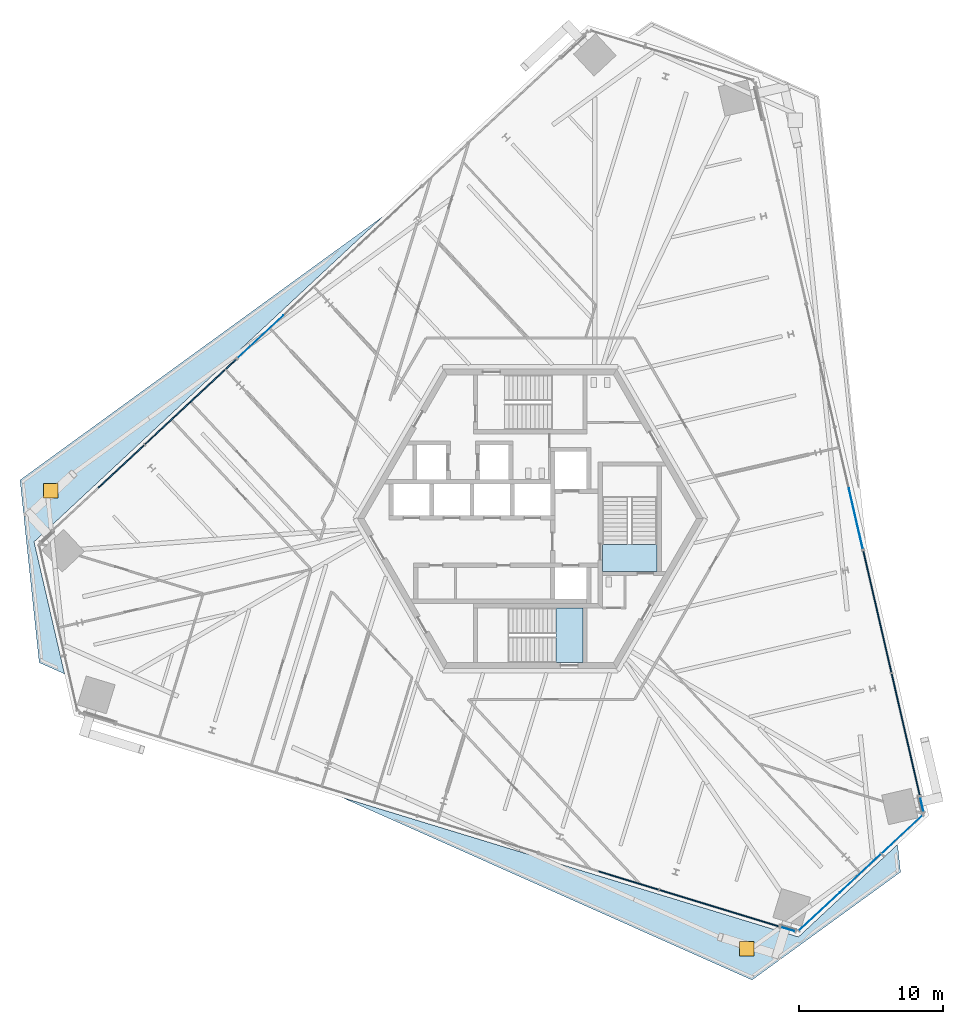
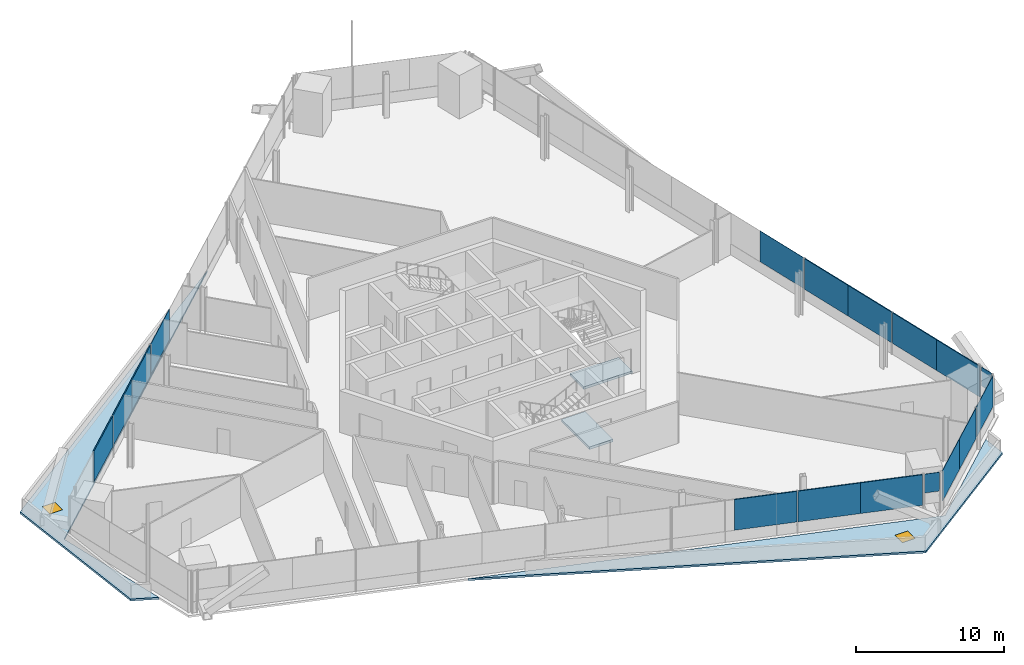
# One storey, part 15 of 25: 17 plates, 4 slabs, 2 doors, 2 openings, 10 elements without a shape of their own.
"""IFC4 building model written with IfcOpenShell, lengths in metres."""

import ifcopenshell
import ifcopenshell.guid

model = None  # the IFC model being written
_history = None  # IfcOwnerHistory: only IFC2X3 demands one
_inside = {}  # id of a spatial element -> (the spatial element, [elements in it])
_under = {}  # id of a project, library or spatial element -> (it, [spatial elements below it])
_declared = {}  # id of a project -> (the project, [libraries it declares])
_typed = {}  # id of a type object -> (the type object, [elements of that type])
_made_of = {}  # id of a material, layer set ... -> (it, [elements and type objects made of it])


def new_model(schema):
    """Start an empty IFC model of exactly this schema.

    Asked for "IFC4X3", IfcOpenShell would pick the latest addendum, in which some entities
    have other attributes; the version numbers below select the first issue.
    IFC2X3 requires an IfcOwnerHistory on every rooted entity: one is made here for all.
    """
    global model, _history
    if schema == "IFC4X3":
        model = ifcopenshell.file(schema_version=(4, 3, 0, 0))
    else:
        model = ifcopenshell.file(schema=schema)
    _inside.clear()
    _under.clear()
    _declared.clear()
    _typed.clear()
    _made_of.clear()
    _history = None
    if model.schema == "IFC2X3":
        org = make("IfcOrganization", Name="unknown")
        user = make(
            "IfcPersonAndOrganization",
            ThePerson=make("IfcPerson", FamilyName="unknown"),
            TheOrganization=org,
        )
        app = make(
            "IfcApplication",
            ApplicationDeveloper=org,
            Version="unknown",
            ApplicationFullName="unknown",
            ApplicationIdentifier="unknown",
        )
        _history = make(
            "IfcOwnerHistory",
            OwningUser=user,
            OwningApplication=app,
            ChangeAction="ADDED",
            CreationDate=0,
        )
    return model


def make(cls, **values):
    """One entity of the class cls with the attributes given. An attribute that is None is left unset."""
    return model.create_entity(
        cls, **{name: value for name, value in values.items() if value is not None}
    )


def rooted(cls, **values):
    """An entity with a GlobalId (a new one), such as an element, a storey or a relation."""
    return make(cls, GlobalId=ifcopenshell.guid.new(), OwnerHistory=_history, **values)


def si_unit(unit_type, name, prefix=None):
    """IfcSIUnit, for example si_unit("LENGTHUNIT", "METRE", prefix="MILLI")."""
    return make("IfcSIUnit", UnitType=unit_type, Prefix=prefix, Name=name)


def assignment(units):
    """IfcUnitAssignment: the units of a project."""
    return None if units is None else make("IfcUnitAssignment", Units=units)


def point(xyz):
    """IfcCartesianPoint."""
    return None if xyz is None else make("IfcCartesianPoint", Coordinates=xyz)


def direction(xyz):
    """IfcDirection."""
    return None if xyz is None else make("IfcDirection", DirectionRatios=xyz)


def frame(location, z_axis=None, x_axis=None):
    """IfcAxis2Placement3D, a coordinate frame: its origin and axes. An axis left out is left unset."""
    return make(
        "IfcAxis2Placement3D",
        Location=point(location),
        Axis=direction(z_axis),
        RefDirection=direction(x_axis),
    )


def frame_2d(location, x_axis=None):
    """IfcAxis2Placement2D, a coordinate frame in the plane: its origin and x axis."""
    return make(
        "IfcAxis2Placement2D", Location=point(location), RefDirection=direction(x_axis)
    )


def origin():
    """The frame at (0, 0, 0) with its axes left unset."""
    return frame((0.0, 0.0, 0.0))


def origin_2d():
    """The frame at (0, 0) in the plane with its x axis left unset."""
    return frame_2d((0.0, 0.0))


def place(relative_to, where):
    """IfcLocalPlacement: puts the frame where relative to a parent placement (None: the world)."""
    return make(
        "IfcLocalPlacement", PlacementRelTo=relative_to, RelativePlacement=where
    )


def context(
    kind, dimensions, precision=None, world=None, true_north=None, identifier=None
):
    """IfcGeometricRepresentationContext, for example the 3D "Model" context."""
    return make(
        "IfcGeometricRepresentationContext",
        ContextIdentifier=identifier,
        ContextType=kind,
        CoordinateSpaceDimension=dimensions,
        Precision=precision,
        WorldCoordinateSystem=world,
        TrueNorth=true_north,
    )


def subcontext(parent, identifier, kind, view, scale=None):
    """IfcGeometricRepresentationSubContext, for example "Body" below "Model"."""
    return make(
        "IfcGeometricRepresentationSubContext",
        ContextIdentifier=identifier,
        ContextType=kind,
        ParentContext=parent,
        TargetScale=scale,
        TargetView=view,
    )


def project(units=None, contexts=None):
    """IfcProject with its units and contexts."""
    return rooted(
        "IfcProject",
        Name="project",
        RepresentationContexts=contexts,
        UnitsInContext=assignment(units),
    )


def spatial(cls, under=None, at=None, **own):
    """A site, building, storey or space (cls), placed at a placement, below another one or the project."""
    s = rooted(cls, ObjectPlacement=at, **own)
    if under is not None:
        _under.setdefault(under.id(), (under, []))[1].append(s)
    return s


def polyline(points):
    """IfcPolyline through the points."""
    return make("IfcPolyline", Points=[point(p) for p in points])


def profile(cls, at=None, kind="AREA", **sizes):
    """A parametric profile (cls). Its sizes go by their IFC names, for example OverallWidth=200.0."""
    return make(cls, ProfileType=kind, Position=at, **sizes)


def rectangle(**sizes):
    """IfcRectangleProfileDef."""
    return profile("IfcRectangleProfileDef", **sizes)


def outline(outer, holes=None, kind="AREA"):
    """IfcArbitraryClosedProfileDef: a profile drawn as a closed curve; with holes, ...WithVoids."""
    if holes is None:
        return make("IfcArbitraryClosedProfileDef", ProfileType=kind, OuterCurve=outer)
    return make(
        "IfcArbitraryProfileDefWithVoids",
        ProfileType=kind,
        OuterCurve=outer,
        InnerCurves=holes,
    )


def extrude(swept, where, along, depth):
    """IfcExtrudedAreaSolid: the profile swept, set in the frame where, extruded along a direction by depth."""
    return make(
        "IfcExtrudedAreaSolid",
        SweptArea=swept,
        Position=where,
        ExtrudedDirection=direction(along),
        Depth=depth,
    )


def shape(context_of_items, identifier, shape_type, items):
    """IfcShapeRepresentation: the items that make up one representation, for example the "Body"."""
    return make(
        "IfcShapeRepresentation",
        ContextOfItems=context_of_items,
        RepresentationIdentifier=identifier,
        RepresentationType=shape_type,
        Items=items,
    )


def source(mapping_origin, context_of_items, identifier, shape_type, items):
    """IfcRepresentationMap: a shape defined once, which mapped items show again and again."""
    return make(
        "IfcRepresentationMap",
        MappingOrigin=mapping_origin,
        MappedRepresentation=shape(context_of_items, identifier, shape_type, items),
    )


def transform(
    local_origin,
    x_axis=None,
    y_axis=None,
    z_axis=None,
    scale=None,
    scale2=None,
    scale3=None,
    uniform=True,
):
    """IfcCartesianTransformationOperator3D, or its non-uniform kind. x_axis, y_axis, z_axis: its Axis1, 2, 3."""
    if uniform:
        return make(
            "IfcCartesianTransformationOperator3D",
            Axis1=direction(x_axis),
            Axis2=direction(y_axis),
            LocalOrigin=point(local_origin),
            Scale=scale,
            Axis3=direction(z_axis),
        )
    return make(
        "IfcCartesianTransformationOperator3DnonUniform",
        Axis1=direction(x_axis),
        Axis2=direction(y_axis),
        LocalOrigin=point(local_origin),
        Scale=scale,
        Axis3=direction(z_axis),
        Scale2=scale2,
        Scale3=scale3,
    )


def mapped(mapping_source, mapping_target):
    """IfcMappedItem: shows the shape of a source again, moved by a transform."""
    return make(
        "IfcMappedItem", MappingSource=mapping_source, MappingTarget=mapping_target
    )


def material(Name=None, Category=None):
    """IfcMaterial."""
    return make("IfcMaterial", Name=Name, Category=Category)


def layer(
    of_material, thickness, ventilated=None, Name=None, Category=None, Priority=None
):
    """IfcMaterialLayer: one layer of a wall or slab, of a material (None: an air gap)."""
    return make(
        "IfcMaterialLayer",
        Material=of_material,
        LayerThickness=thickness,
        IsVentilated=ventilated,
        Name=Name,
        Category=Category,
        Priority=Priority,
    )


def layer_set(layers, Name=None):
    """IfcMaterialLayerSet."""
    return make("IfcMaterialLayerSet", MaterialLayers=layers, LayerSetName=Name)


def made_of(thing, what):
    """Note that an element or type object is made of a material, layer set ...; save() writes the relation."""
    if what is not None:
        _made_of.setdefault(what.id(), (what, []))[1].append(thing)
    return thing


def type_object(cls, material=None, **own):
    """A type object (cls), such as IfcWallType, which elements share."""
    return made_of(rooted(cls, **own), material)


def element(
    cls,
    number,
    at=None,
    inside=None,
    cuts=None,
    type_object=None,
    material=None,
    context=None,
    identifier="Body",
    shape_type=None,
    held_by="IfcProductDefinitionShape",
    body=None,
    shapes=None,
    **own,
):
    """One element of the class cls, such as IfcWall. Its Tag is "e" and its number.

    at: its placement. inside: the storey or other place that contains it. cuts: it is an
    opening in that element (IfcRelVoidsElement). A single representation is given by context,
    identifier, shape_type and body (its items); several are given by shapes. held_by: the class
    of the entity that holds the representations. save() writes the other relations.
    """
    e = rooted(cls, Tag="e%d" % number, ObjectPlacement=at, **own)
    if body is not None:
        shapes = [shape(context, identifier, shape_type, body)]
    if shapes is not None:
        e.Representation = make(held_by, Representations=shapes)
    if inside is not None:
        _inside.setdefault(inside.id(), (inside, []))[1].append(e)
    if cuts is not None:
        rooted(
            "IfcRelVoidsElement", RelatingBuildingElement=cuts, RelatedOpeningElement=e
        )
    if type_object is not None:
        _typed.setdefault(type_object.id(), (type_object, []))[1].append(e)
    return made_of(e, material)


def fill(opening, filler):
    """IfcRelFillsElement: the door or window that sits in an opening."""
    return rooted(
        "IfcRelFillsElement",
        RelatingOpeningElement=opening,
        RelatedBuildingElement=filler,
    )


def aggregate(whole, parts):
    """IfcRelAggregates: a whole, such as a stair, and the parts it consists of."""
    return rooted("IfcRelAggregates", RelatingObject=whole, RelatedObjects=parts)


def save(model, path):
    """Write the relations noted so far, then the file.

    IfcRelAggregates (storeys below a building ...), IfcRelContainedInSpatialStructure (elements
    in a storey), IfcRelDefinesByType, IfcRelAssociatesMaterial and IfcRelDeclares: one each for
    every whole, place, type object, material and project.
    """
    for whole, parts in _under.values():
        aggregate(whole, parts)
    for where, things in _inside.values():
        rooted(
            "IfcRelContainedInSpatialStructure",
            RelatedElements=things,
            RelatingStructure=where,
        )
    for kind, things in _typed.values():
        rooted("IfcRelDefinesByType", RelatedObjects=things, RelatingType=kind)
    for what, things in _made_of.values():
        rooted("IfcRelAssociatesMaterial", RelatedObjects=things, RelatingMaterial=what)
    for by, libraries in _declared.values():
        rooted("IfcRelDeclares", RelatingContext=by, RelatedDefinitions=libraries)
    model.write(path)


model = new_model("IFC4")

# Units and contexts
model_context = context("Model", 3, precision=1e-05, world=origin(), true_north=direction((0.0, 1.0)))
body_context = subcontext(model_context, "Body", "Model", "MODEL_VIEW")
ifc_project = project(units=[si_unit("LENGTHUNIT", "METRE"), si_unit("AREAUNIT", "SQUARE_METRE"), si_unit("VOLUMEUNIT", "CUBIC_METRE"), si_unit("PLANEANGLEUNIT", "RADIAN"), si_unit("MASSUNIT", "GRAM", prefix="KILO")], contexts=[model_context])

# Site, building, storey
site_placement = place(None, origin())
site = spatial("IfcSite", under=ifc_project, at=site_placement, CompositionType="ELEMENT")
building_placement = place(site_placement, origin())
building = spatial("IfcBuilding", under=site, at=building_placement, Name="Triune Harvest Tower", CompositionType="ELEMENT")
storey_placement = place(building_placement, frame((0.0, 0.0, 98.300048828125)))
storey = spatial("IfcBuildingStorey", under=building, at=storey_placement, Name="L24", CompositionType="ELEMENT", Elevation=98.300048828125)

# Slab, opening, door
ifc_material_1 = material(Name="Concrete 40 MPa", Category="concrete")
ifc_layer_1 = layer(ifc_material_1, 0.159912109375)
ifc_layer_set_1 = layer_set([ifc_layer_1], Name="Concrete 40 MPa")
slab_type_1 = type_object("IfcSlabType", Name="WR-1 Wedge roof slab 160", PredefinedType="ROOF", material=ifc_layer_set_1)
slab_1_placement = place(storey_placement, frame((0.0, 0.0, -0.16015625)))
slab_1 = element("IfcSlab", 1, at=slab_1_placement, inside=storey, type_object=slab_type_1, Name="Wedge roof slab L23 1", PredefinedType="ROOF", context=body_context, shape_type="SweptSolid", body=[
    extrude(outline(polyline([(25.703125, -24.534423828125), (25.501708984375, -22.6171875), (18.61767578125, -29.03662109375), (-13.1162109375, -19.334716796875), (15.390869140625, -32.026611328125), (25.703125, -24.534423828125)])), origin(), (0.0, 0.0, 1.0), 0.16015625),
])
opening_1_placement = place(slab_1_placement, frame((15.01416015625, -29.851318359375, 0.0)))
opening_1 = element("IfcOpeningElement", 2, at=opening_1_placement, cuts=slab_1, Name="Opening RH-L23.1", PredefinedType="OPENING", context=body_context, shape_type="SweptSolid", body=[
    extrude(rectangle(XDim=1.0, YDim=1.0, at=origin_2d()), origin(), (0.0, 0.0, 1.0), 0.16015625),
])
ifc_material_2 = material(Name="Aluminium bronze anodised", Category="aluminium")
door_type = type_object("IfcDoorType", Name="RH-1 roof hatch 1000 x 1000", OperationType="SINGLE_SWING_LEFT", PredefinedType="TRAPDOOR", material=ifc_material_2)
door_1_placement = place(opening_1_placement, frame((0.0, 0.0, 0.110107421875)))
door_1 = element("IfcDoor", 3, at=door_1_placement, inside=storey, type_object=door_type, Name="Roof hatch L23.1", OperationType="SINGLE_SWING_LEFT", OverallHeight=1.0, OverallWidth=1.0, PredefinedType="TRAPDOOR", context=body_context, shape_type="SweptSolid", body=[
    extrude(rectangle(XDim=1.0, YDim=1.0, at=origin_2d()), origin(), (0.0, 0.0, 1.0), 0.050048828125),
])
fill(opening_1, door_1)

slab_2_placement = place(storey_placement, frame((0.0, 0.0, -0.16015625)))
slab_2 = element("IfcSlab", 4, at=slab_2_placement, inside=storey, type_object=slab_type_1, Name="Wedge roof slab L23 3", PredefinedType="ROOF", context=body_context, shape_type="SweptSolid", body=[
    extrude(outline(polyline([(-34.098876953125, -9.992431640625), (-32.337646484375, -10.776611328125), (-34.455078125, -1.60498046875), (-10.186279296875, 21.026123046875), (-35.431396484375, 2.6845703125), (-34.098876953125, -9.992431640625)])), origin(), (0.0, 0.0, 1.0), 0.16015625),
])
opening_2_placement = place(slab_2_placement, frame((-33.30712890625, 1.955810546875, 0.0)))
opening_2 = element("IfcOpeningElement", 5, at=opening_2_placement, cuts=slab_2, Name="Opening RH-L23.3", PredefinedType="OPENING", context=body_context, shape_type="SweptSolid", body=[
    extrude(rectangle(XDim=1.0, YDim=1.0, at=origin_2d()), origin(), (0.0, 0.0, 1.0), 0.16015625),
])
door_2_placement = place(opening_2_placement, frame((0.0, 0.0, 0.110107421875)))
door_2 = element("IfcDoor", 6, at=door_2_placement, inside=storey, type_object=door_type, Name="Roof hatch L23.3", OperationType="SINGLE_SWING_LEFT", OverallHeight=1.0, OverallWidth=1.0, PredefinedType="TRAPDOOR", context=body_context, shape_type="SweptSolid", body=[
    extrude(rectangle(XDim=1.0, YDim=1.0, at=origin_2d()), origin(), (0.0, 0.0, 1.0), 0.050048828125),
])
fill(opening_2, door_2)

# Stair, slab
ifc_material_3 = material(Name="Concrete 40 MPa", Category="concrete")
stair_type = type_object("IfcStairType", Name="Exit stair 1800 half turn", PredefinedType="HALF_TURN_STAIR", material=ifc_material_3)
stair_1_placement = place(storey_placement, origin())
stair_1 = element("IfcStair", 7, at=stair_1_placement, inside=storey, type_object=stair_type, Name="Exit stair south", PredefinedType="HALF_TURN_STAIR")
ifc_material_4 = material(Name="Concrete 40 MPa", Category="concrete")
ifc_layer_2 = layer(ifc_material_4, 0.199951171875)
ifc_layer_set_2 = layer_set([ifc_layer_2], Name="Concrete 40 MPa")
slab_type_2 = type_object("IfcSlabType", Name="Stair landing 200", PredefinedType="LANDING", material=ifc_layer_set_2)
shared_shape_1 = source(origin(), body_context, "Body", "SweptSolid", [
    extrude(outline(polyline([(3.64990234375, -6.18994140625), (1.780029296875, -6.18994140625), (1.780029296875, -9.989990234375), (3.64990234375, -9.989990234375), (3.64990234375, -6.18994140625)])), origin(), (0.0, 0.0, 1.0), 0.199951171875),
])
slab_3_placement = place(storey_placement, frame((0.0, 0.0, -0.199951171875)))
slab_3 = element("IfcSlab", 8, at=slab_3_placement, type_object=slab_type_2, Name="ST-2 landing 1", PredefinedType="LANDING", context=body_context, shape_type="MappedRepresentation", body=[
    mapped(shared_shape_1, transform((0.0, 0.0, 0.0), scale=1.0)),
])
aggregate(stair_1, [slab_3])

stair_2_placement = place(storey_placement, origin())
stair_2 = element("IfcStair", 9, at=stair_2_placement, inside=storey, type_object=stair_type, Name="Exit stair east", PredefinedType="HALF_TURN_STAIR")
shared_shape_2 = source(origin(), body_context, "Body", "SweptSolid", [
    extrude(outline(polyline([(8.800048828125, -3.64990234375), (8.800048828125, -1.780029296875), (5.0, -1.780029296875), (5.0, -3.64990234375), (8.800048828125, -3.64990234375)])), origin(), (0.0, 0.0, 1.0), 0.199951171875),
])
slab_4_placement = place(storey_placement, frame((0.0, 0.0, -0.199951171875)))
slab_4 = element("IfcSlab", 10, at=slab_4_placement, type_object=slab_type_2, Name="ST-3 landing 1", PredefinedType="LANDING", context=body_context, shape_type="MappedRepresentation", body=[
    mapped(shared_shape_2, transform((0.0, 0.0, 0.0), scale=1.0)),
])
aggregate(stair_2, [slab_4])

# Curtain wall, plate
ifc_material_5 = material(Name="Aluminium bronze anodised", Category="aluminium")
curtain_wall_type_1 = type_object("IfcCurtainWallType", Name="CW-1 Tower stick curtain wall", PredefinedType="NOTDEFINED", material=ifc_material_5)
curtain_wall_1_placement = place(storey_placement, origin())
curtain_wall_1 = element("IfcCurtainWall", 11, at=curtain_wall_1_placement, inside=storey, type_object=curtain_wall_type_1, Name="CW-1 B3-F1 L24 run 1")
ifc_material_6 = material(Name="Glass", Category="glass")
ifc_layer_3 = layer(ifc_material_6, 0.031982421875)
ifc_layer_set_3 = layer_set([ifc_layer_3], Name="Glass")
plate_type_1 = type_object("IfcPlateType", Name="GL-1 panel 32", PredefinedType="CURTAIN_PANEL", material=ifc_layer_set_3)
shared_shape_3 = source(origin(), body_context, "Body", "SweptSolid", [
    extrude(rectangle(XDim=1.021728515625, YDim=0.031982421875, at=origin_2d()), origin(), (0.0, 0.0, 1.0), 1.554931640625),
])
plate_1_placement = place(storey_placement, frame((27.18359375, -19.837646484375, 1.884765625), z_axis=(0.0, 0.0, 1.0), x_axis=(-0.224946759876, 0.974371056231, 0.0)))
plate_1 = element("IfcPlate", 12, at=plate_1_placement, type_object=plate_type_1, Name="CW-1 panel B3-F1 1.1", PredefinedType="CURTAIN_PANEL", context=body_context, shape_type="MappedRepresentation", body=[
    mapped(shared_shape_3, transform((0.0, 0.0, 0.0), scale=1.0)),
])
aggregate(curtain_wall_1, [plate_1])

curtain_wall_2_placement = place(storey_placement, origin())
curtain_wall_2 = element("IfcCurtainWall", 13, at=curtain_wall_2_placement, inside=storey, type_object=curtain_wall_type_1, Name="CW-1 B3-F5 L24 run 301")
plate_2_placement = place(storey_placement, frame((17.893310546875, -28.501220703125, 1.884765625), z_axis=(0.0, 0.0, 1.0), x_axis=(0.956305185841, -0.292370298651, 0.0)))
plate_2 = element("IfcPlate", 14, at=plate_2_placement, type_object=plate_type_1, Name="CW-1 panel B3-F5 301.1", PredefinedType="CURTAIN_PANEL", context=body_context, shape_type="MappedRepresentation", body=[
    mapped(shared_shape_3, transform((0.0, 0.0, 0.0), scale=1.0)),
])
aggregate(curtain_wall_2, [plate_2])

# Curtain wall, plates
ifc_material_7 = material(Name="Aluminium bronze anodised", Category="aluminium")
curtain_wall_type_2 = type_object("IfcCurtainWallType", Name="CW-7 Tower stick curtain wall with insulated spandrel infill", PredefinedType="NOTDEFINED", material=ifc_material_7)
curtain_wall_3_placement = place(storey_placement, origin())
curtain_wall_3 = element("IfcCurtainWall", 15, at=curtain_wall_3_placement, inside=storey, type_object=curtain_wall_type_2, Name="CW-7 B3-F1 L24 run 101")
ifc_material_8 = material(Name="Insulated spandrel panel, bronze aluminium pan", Category="aluminium")
ifc_layer_4 = layer(ifc_material_8, 0.080078125)
ifc_layer_set_4 = layer_set([ifc_layer_4], Name="Insulated spandrel panel, bronze aluminium pan")
plate_type_2 = type_object("IfcPlateType", Name="SP-1 insulated spandrel panel 80", PredefinedType="CURTAIN_PANEL", material=ifc_layer_set_4)
shared_shape_4 = source(origin(), body_context, "Body", "SweptSolid", [
    extrude(rectangle(XDim=4.311767578125, YDim=0.080078125, at=origin_2d()), origin(), (0.0, 0.0, 1.0), 2.5400390625),
])
plate_3_placement = place(storey_placement, frame((26.5498046875, -17.093017578125, 0.89990234375), z_axis=(0.0, 0.0, 1.0), x_axis=(-0.224949824829, 0.97437034864, 0.0)))
plate_3 = element("IfcPlate", 16, at=plate_3_placement, type_object=plate_type_2, Name="CW-7 panel B3-F1 101.1", PredefinedType="CURTAIN_PANEL", context=body_context, shape_type="MappedRepresentation", body=[
    mapped(shared_shape_4, transform((0.0, 0.0, 0.0), scale=1.0)),
])
plate_4_placement = place(storey_placement, frame((23.6064453125, -4.34326171875, 0.89990234375), z_axis=(0.0, 0.0, 1.0), x_axis=(-0.224949824829, 0.97437034864, 0.0)))
plate_4 = element("IfcPlate", 17, at=plate_4_placement, type_object=plate_type_2, Name="CW-7 panel B3-F1 101.4", PredefinedType="CURTAIN_PANEL", context=body_context, shape_type="MappedRepresentation", body=[
    mapped(shared_shape_4, transform((0.0, 0.0, 0.0), scale=1.0)),
])

# Curtain wall, plate
curtain_wall_4_placement = place(storey_placement, origin())
curtain_wall_4 = element("IfcCurtainWall", 18, at=curtain_wall_4_placement, inside=storey, type_object=curtain_wall_type_2, Name="CW-7 B3-F3 L24 run 2201")
plate_5_placement = place(storey_placement, frame((-21.999267578125, 9.599853515625, 0.89990234375), z_axis=(0.0, 0.0, 1.0), x_axis=(-0.731352546183, -0.681999599114, 0.0)))
plate_5 = element("IfcPlate", 19, at=plate_5_placement, type_object=plate_type_2, Name="CW-7 panel B3-F3 2201.1", PredefinedType="CURTAIN_PANEL", context=body_context, shape_type="MappedRepresentation", body=[
    mapped(shared_shape_4, transform((0.0, 0.0, 0.0), scale=1.0)),
])

curtain_wall_5_placement = place(storey_placement, origin())
curtain_wall_5 = element("IfcCurtainWall", 20, at=curtain_wall_5_placement, inside=storey, type_object=curtain_wall_type_2, Name="CW-7 B3-F5 L24 run 2201")
plate_6_placement = place(storey_placement, frame((15.199462890625, -27.677490234375, 0.89990234375), z_axis=(0.0, 0.0, 1.0), x_axis=(0.956304487109, -0.292372584104, 0.0)))
plate_6 = element("IfcPlate", 21, at=plate_6_placement, type_object=plate_type_2, Name="CW-7 panel B3-F5 2201.4", PredefinedType="CURTAIN_PANEL", context=body_context, shape_type="MappedRepresentation", body=[
    mapped(shared_shape_4, transform((0.0, 0.0, 0.0), scale=1.0)),
])

# Plate
shared_shape_5 = source(origin(), body_context, "Body", "SweptSolid", [
    extrude(rectangle(XDim=4.349365234375, YDim=0.080078125, at=origin_2d()), origin(), (0.0, 0.0, 1.0), 2.5400390625),
])
plate_7_placement = place(storey_placement, frame((25.57568359375, -12.87353515625, 0.89990234375), z_axis=(0.0, 0.0, 1.0), x_axis=(-0.224949824829, 0.97437034864, 0.0)))
plate_7 = element("IfcPlate", 22, at=plate_7_placement, type_object=plate_type_2, Name="CW-7 panel B3-F1 101.2", PredefinedType="CURTAIN_PANEL", context=body_context, shape_type="MappedRepresentation", body=[
    mapped(shared_shape_5, transform((0.0, 0.0, 0.0), scale=1.0)),
])

plate_8_placement = place(storey_placement, frame((24.58056640625, -8.562744140625, 0.89990234375), z_axis=(0.0, 0.0, 1.0), x_axis=(-0.224949824829, 0.97437034864, 0.0)))
plate_8 = element("IfcPlate", 23, at=plate_8_placement, type_object=plate_type_2, Name="CW-7 panel B3-F1 101.3", PredefinedType="CURTAIN_PANEL", context=body_context, shape_type="MappedRepresentation", body=[
    mapped(shared_shape_5, transform((0.0, 0.0, 0.0), scale=1.0)),
])

aggregate(curtain_wall_3, [plate_3, plate_7, plate_8, plate_4])

plate_9_placement = place(storey_placement, frame((-25.166259765625, 6.646240234375, 0.89990234375), z_axis=(0.0, 0.0, 1.0), x_axis=(-0.731352546183, -0.681999599114, 0.0)))
plate_9 = element("IfcPlate", 24, at=plate_9_placement, type_object=plate_type_2, Name="CW-7 panel B3-F3 2201.2", PredefinedType="CURTAIN_PANEL", context=body_context, shape_type="MappedRepresentation", body=[
    mapped(shared_shape_5, transform((0.0, 0.0, 0.0), scale=1.0)),
])

plate_10_placement = place(storey_placement, frame((-28.402099609375, 3.62890625, 0.89990234375), z_axis=(0.0, 0.0, 1.0), x_axis=(-0.731352546183, -0.681999599114, 0.0)))
plate_10 = element("IfcPlate", 25, at=plate_10_placement, type_object=plate_type_2, Name="CW-7 panel B3-F3 2201.3", PredefinedType="CURTAIN_PANEL", context=body_context, shape_type="MappedRepresentation", body=[
    mapped(shared_shape_5, transform((0.0, 0.0, 0.0), scale=1.0)),
])

aggregate(curtain_wall_4, [plate_5, plate_9, plate_10])

plate_11_placement = place(storey_placement, frame((6.8271484375, -25.117919921875, 0.89990234375), z_axis=(0.0, 0.0, 1.0), x_axis=(0.956304487109, -0.292372584104, 0.0)))
plate_11 = element("IfcPlate", 26, at=plate_11_placement, type_object=plate_type_2, Name="CW-7 panel B3-F5 2201.2", PredefinedType="CURTAIN_PANEL", context=body_context, shape_type="MappedRepresentation", body=[
    mapped(shared_shape_5, transform((0.0, 0.0, 0.0), scale=1.0)),
])

plate_12_placement = place(storey_placement, frame((11.05810546875, -26.411376953125, 0.89990234375), z_axis=(0.0, 0.0, 1.0), x_axis=(0.956304487109, -0.292372584104, 0.0)))
plate_12 = element("IfcPlate", 27, at=plate_12_placement, type_object=plate_type_2, Name="CW-7 panel B3-F5 2201.3", PredefinedType="CURTAIN_PANEL", context=body_context, shape_type="MappedRepresentation", body=[
    mapped(shared_shape_5, transform((0.0, 0.0, 0.0), scale=1.0)),
])

aggregate(curtain_wall_5, [plate_11, plate_12, plate_6])

# Curtain wall, plate
curtain_wall_6_placement = place(storey_placement, origin())
curtain_wall_6 = element("IfcCurtainWall", 28, at=curtain_wall_6_placement, inside=storey, type_object=curtain_wall_type_1, Name="CW-1 B3-F1 L24 run 1101")
shared_shape_6 = source(origin(), body_context, "Body", "SweptSolid", [
    extrude(rectangle(XDim=4.311767578125, YDim=0.031982421875, at=origin_2d()), origin(), (0.0, 0.0, 1.0), 2.5400390625),
])
plate_13_placement = place(storey_placement, frame((22.6025390625, 0.004150390625, 0.89990234375), z_axis=(0.0, 0.0, 1.0), x_axis=(-0.224955235412, 0.9743690995, 0.0)))
plate_13 = element("IfcPlate", 29, at=plate_13_placement, type_object=plate_type_1, Name="CW-1 panel B3-F1 1101.1", PredefinedType="CURTAIN_PANEL", context=body_context, shape_type="MappedRepresentation", body=[
    mapped(shared_shape_6, transform((0.0, 0.0, 0.0), scale=1.0)),
])
aggregate(curtain_wall_6, [plate_13])

curtain_wall_7_placement = place(storey_placement, origin())
curtain_wall_7 = element("IfcCurtainWall", 30, at=curtain_wall_7_placement, inside=storey, type_object=curtain_wall_type_1, Name="CW-1 B3-F3 L24 run 1201")
plate_14_placement = place(storey_placement, frame((-18.736083984375, 12.642578125, 0.89990234375), z_axis=(0.0, 0.0, 1.0), x_axis=(-0.731355196887, -0.681996756581, 0.0)))
plate_14 = element("IfcPlate", 31, at=plate_14_placement, type_object=plate_type_1, Name="CW-1 panel B3-F3 1201.4", PredefinedType="CURTAIN_PANEL", context=body_context, shape_type="MappedRepresentation", body=[
    mapped(shared_shape_6, transform((0.0, 0.0, 0.0), scale=1.0)),
])
aggregate(curtain_wall_7, [plate_14])

# Curtain wall, plates
curtain_wall_8_placement = place(storey_placement, origin())
curtain_wall_8 = element("IfcCurtainWall", 32, at=curtain_wall_8_placement, inside=storey, type_object=curtain_wall_type_1, Name="CW-1 B3-F6 L24 run 1")
shared_shape_7 = source(origin(), body_context, "Body", "SweptSolid", [
    extrude(rectangle(XDim=3.8740234375, YDim=0.031982421875, at=origin_2d()), origin(), (0.0, 0.0, 1.0), 2.5400390625),
])
plate_15_placement = place(storey_placement, frame((20.076904296875, -27.26513671875, 0.89990234375), z_axis=(0.0, 0.0, 1.0), x_axis=(0.731349946151, 0.682002387287, 0.0)))
plate_15 = element("IfcPlate", 33, at=plate_15_placement, type_object=plate_type_1, Name="CW-1 panel B3-F6 1.1", PredefinedType="CURTAIN_PANEL", context=body_context, shape_type="MappedRepresentation", body=[
    mapped(shared_shape_7, transform((0.0, 0.0, 0.0), scale=1.0)),
])
shared_shape_8 = source(origin(), body_context, "Body", "SweptSolid", [
    extrude(rectangle(XDim=3.911376953125, YDim=0.031982421875, at=origin_2d()), origin(), (0.0, 0.0, 1.0), 2.5400390625),
])
plate_16_placement = place(storey_placement, frame((22.923828125, -24.6103515625, 0.89990234375), z_axis=(0.0, 0.0, 1.0), x_axis=(0.731349946151, 0.682002387287, 0.0)))
plate_16 = element("IfcPlate", 34, at=plate_16_placement, type_object=plate_type_1, Name="CW-1 panel B3-F6 1.2", PredefinedType="CURTAIN_PANEL", context=body_context, shape_type="MappedRepresentation", body=[
    mapped(shared_shape_8, transform((0.0, 0.0, 0.0), scale=1.0)),
])
shared_shape_9 = source(origin(), body_context, "Body", "SweptSolid", [
    extrude(rectangle(XDim=3.83642578125, YDim=0.031982421875, at=origin_2d()), origin(), (0.0, 0.0, 1.0), 2.5400390625),
])
plate_17_placement = place(storey_placement, frame((25.81201171875, -21.9169921875, 0.89990234375), z_axis=(0.0, 0.0, 1.0), x_axis=(0.731349946151, 0.682002387287, 0.0)))
plate_17 = element("IfcPlate", 35, at=plate_17_placement, type_object=plate_type_1, Name="CW-1 panel B3-F6 1.3", PredefinedType="CURTAIN_PANEL", context=body_context, shape_type="MappedRepresentation", body=[
    mapped(shared_shape_9, transform((0.0, 0.0, 0.0), scale=1.0)),
])
aggregate(curtain_wall_8, [plate_15, plate_16, plate_17])

save(model, "model.ifc")
